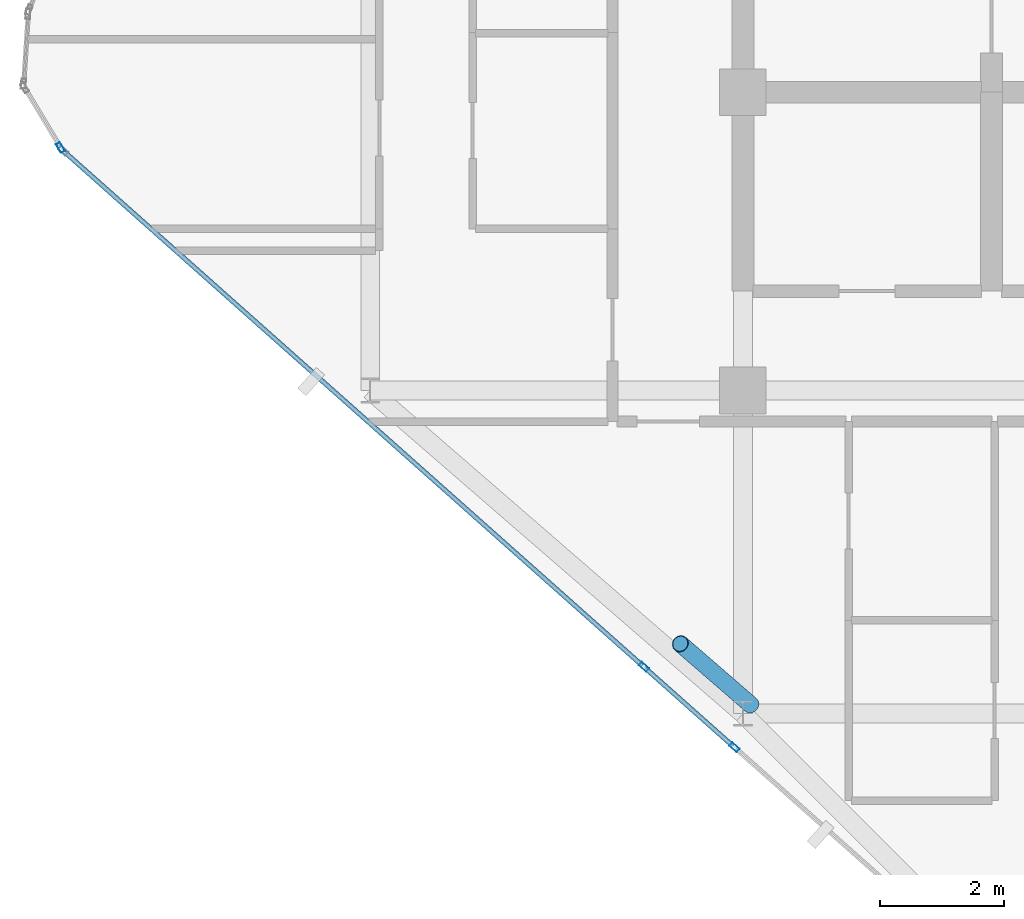
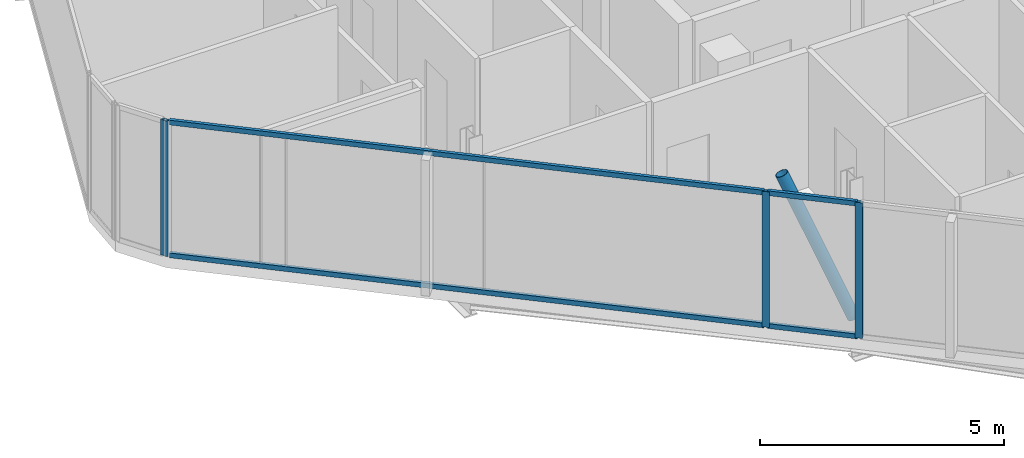
# One storey, part 3 of 28: 8 members, 4 elements without a shape of their own.
"""IFC4 building model written with IfcOpenShell, lengths in metres."""

from ifc_helpers import new_model, si_unit, direction, frame, origin, origin_2d, place, context, subcontext, project, spatial, hollow_rectangle, hollow_circle, extrude, material, layer, layer_set, material_profile, profile_set, type_object, element, aggregate, save


model = new_model("IFC4")

# Units and contexts
model_context = context("Model", 3, precision=1e-05, world=origin(), true_north=direction((0.0, 1.0)))
body_context = subcontext(model_context, "Body", "Model", "MODEL_VIEW")
ifc_project = project(units=[si_unit("LENGTHUNIT", "METRE"), si_unit("AREAUNIT", "SQUARE_METRE"), si_unit("VOLUMEUNIT", "CUBIC_METRE"), si_unit("PLANEANGLEUNIT", "RADIAN"), si_unit("MASSUNIT", "GRAM", prefix="KILO")], contexts=[model_context])

# Site, building, storey
site_placement = place(None, origin())
site = spatial("IfcSite", under=ifc_project, at=site_placement, CompositionType="ELEMENT")
building_placement = place(site_placement, origin())
building = spatial("IfcBuilding", under=site, at=building_placement, Name="Keshet Zoharim Tower", CompositionType="ELEMENT")
storey_placement = place(building_placement, frame((0.0, 0.0, 265.800048828125)))
storey = spatial("IfcBuildingStorey", under=building, at=storey_placement, Name="L66", CompositionType="ELEMENT", Elevation=265.800048828125)

# Curtain wall, member
ifc_material_1 = material(Name="Aluminium 6063-T6", Category="aluminium")
ifc_layer = layer(ifc_material_1, 0.260009765625)
ifc_layer_set = layer_set([ifc_layer], Name="Aluminium 6063-T6")
curtain_wall_type = type_object("IfcCurtainWallType", Name="CW-SYS-06", PredefinedType="NOTDEFINED", material=ifc_layer_set)
curtain_wall_1_placement = place(storey_placement, origin())
curtain_wall_1 = element("IfcCurtainWall", 1, at=curtain_wall_1_placement, inside=storey, type_object=curtain_wall_type, Name="L66 Unitised Curtain Wall 01", PredefinedType="NOTDEFINED")
ifc_material_profile_1 = material_profile(ifc_material_1, hollow_rectangle(XDim=0.074951171875, YDim=0.159912109375, WallThickness=0.00390625, at=origin_2d()), Name="MUL-75x160")
ifc_profile_set_1 = profile_set([ifc_material_profile_1], Name="Aluminium 6063-T6")
member_type_1 = type_object("IfcMemberType", Name="CWM-M15", PredefinedType="MULLION", material=ifc_profile_set_1)
member_1_placement = place(storey_placement, frame((4.016845703125, 21.81005859375, 0.0), z_axis=(0.0, 0.0, 1.0), x_axis=(-0.856826433805, -0.515604947933, 0.0)))
member_1 = element("IfcMember", 2, at=member_1_placement, type_object=member_type_1, Name="CW-06 mullion 1", PredefinedType="MULLION", context=body_context, shape_type="SweptSolid", body=[
    extrude(hollow_rectangle(XDim=0.074951171875, YDim=0.159912109375, WallThickness=0.00390625, at=origin_2d()), origin(), (0.0, 0.0, 1.0), 3.389892578125),
])
aggregate(curtain_wall_1, [member_1])

curtain_wall_2_placement = place(storey_placement, origin())
curtain_wall_2 = element("IfcCurtainWall", 3, at=curtain_wall_2_placement, inside=storey, type_object=curtain_wall_type, Name="L66 Unitised Curtain Wall 16", PredefinedType="NOTDEFINED")
member_2_placement = place(storey_placement, frame((14.863037109375, 12.155029296875, 0.0), z_axis=(0.0, 0.0, 1.0), x_axis=(-0.664362180559, -0.747410792699, 0.0)))
member_2 = element("IfcMember", 4, at=member_2_placement, type_object=member_type_1, Name="CW-06 mullion 2", PredefinedType="MULLION", context=body_context, shape_type="SweptSolid", body=[
    extrude(hollow_rectangle(XDim=0.074951171875, YDim=0.159912109375, WallThickness=0.00390625, at=origin_2d()), origin(), (0.0, 0.0, 1.0), 3.389892578125),
])
aggregate(curtain_wall_2, [member_2])

# Curtain wall, members
curtain_wall_3_placement = place(storey_placement, origin())
curtain_wall_3 = element("IfcCurtainWall", 5, at=curtain_wall_3_placement, inside=storey, type_object=curtain_wall_type, Name="L66 Unitised Curtain Wall 16 Part 2", PredefinedType="NOTDEFINED")
member_3_placement = place(storey_placement, frame((13.40576171875, 13.450439453125, 0.0), z_axis=(0.0, 0.0, 1.0), x_axis=(-0.664338369143, -0.747431957629, 0.0)))
member_3 = element("IfcMember", 6, at=member_3_placement, type_object=member_type_1, Name="CW-06 mullion 2", PredefinedType="MULLION", context=body_context, shape_type="SweptSolid", body=[
    extrude(hollow_rectangle(XDim=0.074951171875, YDim=0.159912109375, WallThickness=0.00390625, at=origin_2d()), origin(), (0.0, 0.0, 1.0), 3.389892578125),
])
ifc_material_profile_2 = material_profile(ifc_material_1, hollow_rectangle(XDim=0.074951171875, YDim=0.1201171875, WallThickness=0.00390625, at=origin_2d()), Name="TRN-75x120")
ifc_profile_set_2 = profile_set([ifc_material_profile_2], Name="Aluminium 6063-T6")
member_type_2 = type_object("IfcMemberType", Name="CWT-T12", PredefinedType="USERDEFINED", material=ifc_profile_set_2)
member_4_placement = place(storey_placement, frame((14.8369140625, 12.178466796875, 0.034912109375), z_axis=(-0.747452318941, 0.664315460387, 0.0), x_axis=(-0.664315460387, -0.747452318941, 0.0)))
member_4 = element("IfcMember", 7, at=member_4_placement, type_object=member_type_2, Name="CW-06 transom 1.1", ObjectType="TRANSOM", PredefinedType="USERDEFINED", context=body_context, shape_type="SweptSolid", body=[
    extrude(hollow_rectangle(XDim=0.074951171875, YDim=0.1201171875, WallThickness=0.00390625, at=origin_2d()), origin(), (0.0, 0.0, 1.0), 1.87939453125),
])
member_5_placement = place(storey_placement, frame((14.8369140625, 12.178466796875, 3.35498046875), z_axis=(-0.747452318941, 0.664315460387, 0.0), x_axis=(-0.664315460387, -0.747452318941, 0.0)))
member_5 = element("IfcMember", 8, at=member_5_placement, type_object=member_type_2, Name="CW-06 transom 1.2", ObjectType="TRANSOM", PredefinedType="USERDEFINED", context=body_context, shape_type="SweptSolid", body=[
    extrude(hollow_rectangle(XDim=0.074951171875, YDim=0.1201171875, WallThickness=0.00390625, at=origin_2d()), origin(), (0.0, 0.0, 1.0), 1.87939453125),
])
aggregate(curtain_wall_3, [member_3, member_4, member_5])

curtain_wall_4_placement = place(storey_placement, origin())
curtain_wall_4 = element("IfcCurtainWall", 9, at=curtain_wall_4_placement, inside=storey, type_object=curtain_wall_type, Name="L66 Unitised Curtain Wall 16 Part 3", PredefinedType="NOTDEFINED")
member_6_placement = place(storey_placement, frame((13.379638671875, 13.4736328125, 0.034912109375), z_axis=(-0.747409318684, 0.66436383883, 0.0), x_axis=(-0.66436383883, -0.747409318684, 0.0)))
member_6 = element("IfcMember", 10, at=member_6_placement, type_object=member_type_2, Name="CW-06 transom 1.1", ObjectType="TRANSOM", PredefinedType="USERDEFINED", context=body_context, shape_type="SweptSolid", body=[
    extrude(hollow_rectangle(XDim=0.074951171875, YDim=0.1201171875, WallThickness=0.00390625, at=origin_2d()), origin(), (0.0, 0.0, 1.0), 12.4326171875),
])
member_7_placement = place(storey_placement, frame((13.379638671875, 13.4736328125, 3.35498046875), z_axis=(-0.747409318684, 0.66436383883, 0.0), x_axis=(-0.66436383883, -0.747409318684, 0.0)))
member_7 = element("IfcMember", 11, at=member_7_placement, type_object=member_type_2, Name="CW-06 transom 1.2", ObjectType="TRANSOM", PredefinedType="USERDEFINED", context=body_context, shape_type="SweptSolid", body=[
    extrude(hollow_rectangle(XDim=0.074951171875, YDim=0.1201171875, WallThickness=0.00390625, at=origin_2d()), origin(), (0.0, 0.0, 1.0), 12.4326171875),
])
aggregate(curtain_wall_4, [member_6, member_7])

# Member
ifc_material_2 = material(Name="Steel S355", Category="steel")
ifc_material_profile_3 = material_profile(ifc_material_2, hollow_circle(Radius=0.136474609375, WallThickness=0.010009765625, at=origin_2d()), Name="CHS273x10")
ifc_profile_set_3 = profile_set([ifc_material_profile_3], Name="Steel S355")
member_type_3 = type_object("IfcMemberType", Name="MB-BR-C273", PredefinedType="BRACE", material=ifc_profile_set_3)
member_8_placement = place(storey_placement, frame((15.1259765625, 12.842041015625, 0.0), z_axis=(-0.305919508672, 0.264888754334, 0.914465528077), x_axis=(-0.654589683411, -0.755984355904, 0.0)))
element("IfcMember", 12, at=member_8_placement, inside=storey, type_object=member_type_3, Name="L66 Perimeter Tube Brace 01", PredefinedType="BRACE", context=body_context, shape_type="SweptSolid", body=[
    extrude(hollow_circle(Radius=0.136474609375, WallThickness=0.010009765625, at=origin_2d()), origin(), (0.0, 0.0, 1.0), 3.70703125),
])

save(model, "model.ifc")
